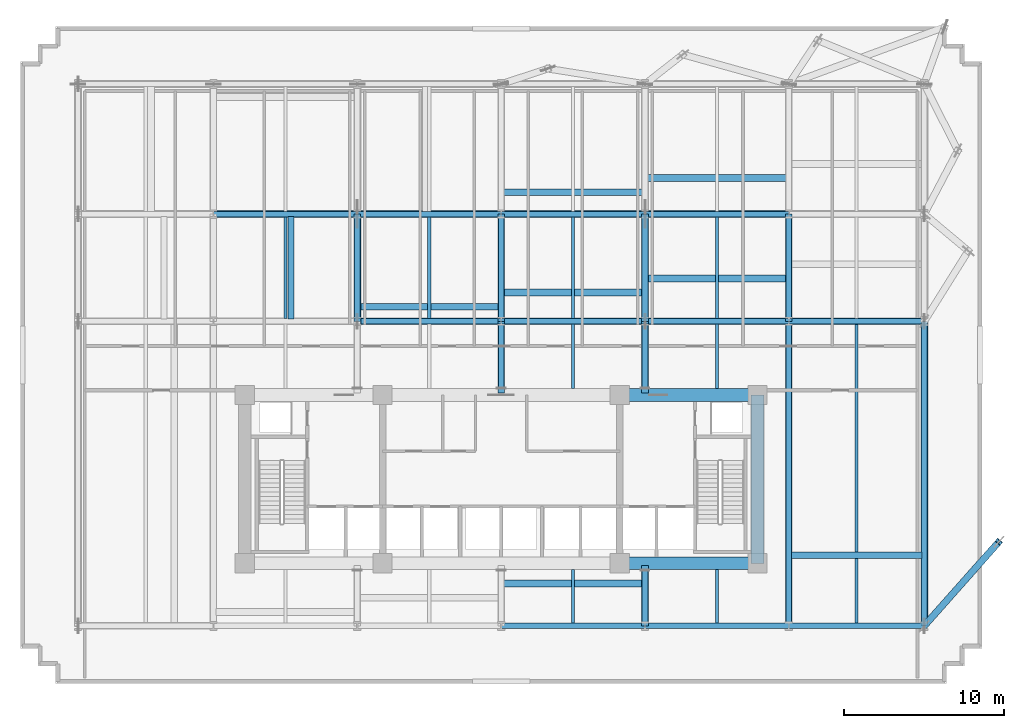
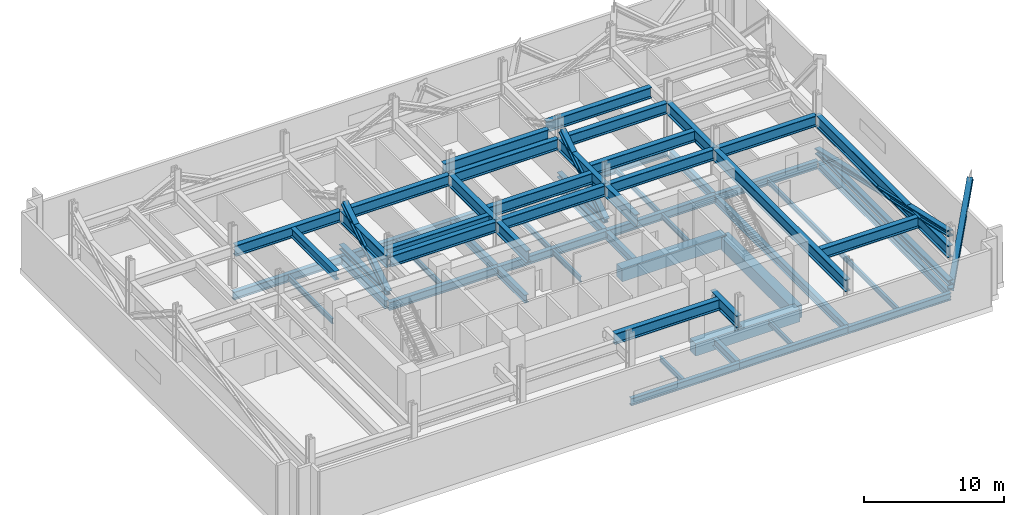
# One storey, part 2 of 9: 57 beams, 7 members.
"""IFC4 building model written with IfcOpenShell, lengths in metres."""

from ifc_helpers import new_model, si_unit, direction, frame, origin, origin_2d, place, context, subcontext, project, spatial, rectangle, i_section, extrude, material, material_profile, profile_set, type_object, element, save


model = new_model("IFC4")

# Units and contexts
model_context = context("Model", 3, precision=1e-05, world=origin(), true_north=direction((0.0, 1.0)))
body_context = subcontext(model_context, "Body", "Model", "MODEL_VIEW")
ifc_project = project(units=[si_unit("LENGTHUNIT", "METRE"), si_unit("AREAUNIT", "SQUARE_METRE"), si_unit("VOLUMEUNIT", "CUBIC_METRE"), si_unit("PLANEANGLEUNIT", "RADIAN"), si_unit("MASSUNIT", "GRAM", prefix="KILO")], contexts=[model_context])

# Site, building, storey
site_placement = place(None, origin())
site = spatial("IfcSite", under=ifc_project, at=site_placement, CompositionType="ELEMENT")
building_placement = place(site_placement, origin())
building = spatial("IfcBuilding", under=site, at=building_placement, Name="Solmavex Isthmus Hotel", CompositionType="ELEMENT")
storey_placement = place(building_placement, frame((0.0, 0.0, 74.699951171875)))
storey = spatial("IfcBuildingStorey", under=building, at=storey_placement, Name="L20", CompositionType="ELEMENT", Elevation=74.699951171875)

# Beams
ifc_material_1 = material(Name="Steel ASTM A992 Grade 50", Category="steel")
ifc_material_profile_1 = material_profile(ifc_material_1, i_section(OverallWidth=0.354736328125, OverallDepth=0.695556640625, WebThickness=0.015380859375, FlangeThickness=0.02490234375, FilletRadius=0.017822265625, at=origin_2d()), Name="W27X146")
ifc_profile_set_1 = profile_set([ifc_material_profile_1], Name="Steel ASTM A992 Grade 50")
beam_type_1 = type_object("IfcBeamType", Name="BM-BG-W27X146", PredefinedType="BEAM", material=ifc_profile_set_1)
for number, where, z_axis, x_axis, name in (
    (1, (-8.97607421875, 2.10009765625, -0.797607421875), (1.0, 0.0, 0.0), (0.0, 1.0, 0.0), "Floor Girder L20-UG09"),
    (2, (0.0, 2.10009765625, -0.797607421875), (1.0, 0.0, 0.0), (0.0, 1.0, 0.0), "Floor Girder L20-UG10"),
):
    element("IfcBeam", number, at=place(storey_placement, frame(where, z_axis=z_axis, x_axis=x_axis)), inside=storey, type_object=beam_type_1, Name=name, PredefinedType="BEAM", context=body_context, shape_type="SweptSolid", body=[
        extrude(i_section(OverallWidth=0.354736328125, OverallDepth=0.695556640625, WebThickness=0.015380859375, FlangeThickness=0.02490234375, FilletRadius=0.017822265625, at=origin_2d()), origin(), (0.0, 0.0, 1.0), 8.97607421875),
    ])
beam_1_placement = place(storey_placement, frame((8.97607421875, 2.10009765625, -0.797607421875), z_axis=(1.0, 0.0, 0.0), x_axis=(0.0, 1.0, 0.0)))
element("IfcBeam", 3, at=beam_1_placement, inside=storey, type_object=beam_type_1, Name="Floor Girder L20-UG11", PredefinedType="BEAM", context=body_context, shape_type="SweptSolid", body=[
    extrude(i_section(OverallWidth=0.354736328125, OverallDepth=0.695556640625, WebThickness=0.015380859375, FlangeThickness=0.02490234375, FilletRadius=0.017822265625, at=origin_2d()), origin(), (0.0, 0.0, 1.0), 8.975830078125),
])
beam_2_placement = place(storey_placement, frame((17.951904296875, 2.10009765625, -0.797607421875), z_axis=(1.0, 0.0, 0.0), x_axis=(0.0, 1.0, 0.0)))
element("IfcBeam", 4, at=beam_2_placement, inside=storey, type_object=beam_type_1, Name="Floor Girder L20-UG12", PredefinedType="BEAM", context=body_context, shape_type="SweptSolid", body=[
    extrude(i_section(OverallWidth=0.354736328125, OverallDepth=0.695556640625, WebThickness=0.015380859375, FlangeThickness=0.02490234375, FilletRadius=0.017822265625, at=origin_2d()), origin(), (0.0, 0.0, 1.0), 8.447998046875),
])
beam_3_placement = place(storey_placement, frame((-17.951904296875, 8.7880859375, -0.797607421875), z_axis=(1.0, 0.0, 0.0), x_axis=(0.0, 1.0, 0.0)))
element("IfcBeam", 5, at=beam_3_placement, inside=storey, type_object=beam_type_1, Name="Floor Girder L20-UG14", PredefinedType="BEAM", context=body_context, shape_type="SweptSolid", body=[
    extrude(i_section(OverallWidth=0.354736328125, OverallDepth=0.695556640625, WebThickness=0.015380859375, FlangeThickness=0.02490234375, FilletRadius=0.017822265625, at=origin_2d()), origin(), (0.0, 0.0, 1.0), 8.975830078125),
])
for number, where, z_axis, x_axis, name in (
    (6, (-8.97607421875, 8.7880859375, -0.797607421875), (1.0, 0.0, 0.0), (0.0, 1.0, 0.0), "Floor Girder L20-UG15"),
    (7, (0.0, 8.7880859375, -0.797607421875), (1.0, 0.0, 0.0), (0.0, 1.0, 0.0), "Floor Girder L20-UG16"),
):
    element("IfcBeam", number, at=place(storey_placement, frame(where, z_axis=z_axis, x_axis=x_axis)), inside=storey, type_object=beam_type_1, Name=name, PredefinedType="BEAM", context=body_context, shape_type="SweptSolid", body=[
        extrude(i_section(OverallWidth=0.354736328125, OverallDepth=0.695556640625, WebThickness=0.015380859375, FlangeThickness=0.02490234375, FilletRadius=0.017822265625, at=origin_2d()), origin(), (0.0, 0.0, 1.0), 8.97607421875),
    ])
beam_4_placement = place(storey_placement, frame((8.97607421875, 8.7880859375, -0.797607421875), z_axis=(1.0, 0.0, 0.0), x_axis=(0.0, 1.0, 0.0)))
element("IfcBeam", 8, at=beam_4_placement, inside=storey, type_object=beam_type_1, Name="Floor Girder L20-UG17", PredefinedType="BEAM", context=body_context, shape_type="SweptSolid", body=[
    extrude(i_section(OverallWidth=0.354736328125, OverallDepth=0.695556640625, WebThickness=0.015380859375, FlangeThickness=0.02490234375, FilletRadius=0.017822265625, at=origin_2d()), origin(), (0.0, 0.0, 1.0), 8.975830078125),
])
beam_5_placement = place(storey_placement, frame((-8.97607421875, 2.27734375, -0.797607421875), z_axis=(0.0, 1.0, 0.0), x_axis=(-1.0, 0.0, 0.0)))
element("IfcBeam", 9, at=beam_5_placement, inside=storey, type_object=beam_type_1, Name="Floor Beam L20-VG33", PredefinedType="BEAM", context=body_context, shape_type="SweptSolid", body=[
    extrude(i_section(OverallWidth=0.354736328125, OverallDepth=0.695556640625, WebThickness=0.015380859375, FlangeThickness=0.02490234375, FilletRadius=0.017822265625, at=origin_2d()), origin(), (0.0, 0.0, 1.0), 6.333251953125),
])
beam_6_placement = place(storey_placement, frame((0.0, -2.10009765625, -0.797607421875), z_axis=(0.0, 1.0, 0.0), x_axis=(-1.0, 0.0, 0.0)))
element("IfcBeam", 10, at=beam_6_placement, inside=storey, type_object=beam_type_1, Name="Floor Beam L20-VG36", PredefinedType="BEAM", context=body_context, shape_type="SweptSolid", body=[
    extrude(i_section(OverallWidth=0.354736328125, OverallDepth=0.695556640625, WebThickness=0.015380859375, FlangeThickness=0.02490234375, FilletRadius=0.017822265625, at=origin_2d()), origin(), (0.0, 0.0, 1.0), 4.022705078125),
])
beam_7_placement = place(storey_placement, frame((0.0, 2.27734375, -0.797607421875), z_axis=(0.0, 1.0, 0.0), x_axis=(-1.0, 0.0, 0.0)))
element("IfcBeam", 11, at=beam_7_placement, inside=storey, type_object=beam_type_1, Name="Floor Beam L20-VG37", PredefinedType="BEAM", context=body_context, shape_type="SweptSolid", body=[
    extrude(i_section(OverallWidth=0.354736328125, OverallDepth=0.695556640625, WebThickness=0.015380859375, FlangeThickness=0.02490234375, FilletRadius=0.017822265625, at=origin_2d()), origin(), (0.0, 0.0, 1.0), 6.333251953125),
])
beam_8_placement = place(storey_placement, frame((8.97607421875, -16.73681640625, -0.797607421875), z_axis=(0.0, 1.0, 0.0), x_axis=(-1.0, 0.0, 0.0)))
element("IfcBeam", 12, at=beam_8_placement, inside=storey, type_object=beam_type_1, Name="Floor Beam L20-VG39", PredefinedType="BEAM", context=body_context, shape_type="SweptSolid", body=[
    extrude(i_section(OverallWidth=0.354736328125, OverallDepth=0.695556640625, WebThickness=0.015380859375, FlangeThickness=0.02490234375, FilletRadius=0.017822265625, at=origin_2d()), origin(), (0.0, 0.0, 1.0), 3.3369140625),
])
beam_9_placement = place(storey_placement, frame((8.97607421875, -2.10009765625, -0.797607421875), z_axis=(0.0, 1.0, 0.0), x_axis=(-1.0, 0.0, 0.0)))
element("IfcBeam", 13, at=beam_9_placement, inside=storey, type_object=beam_type_1, Name="Floor Beam L20-VG40", PredefinedType="BEAM", context=body_context, shape_type="SweptSolid", body=[
    extrude(i_section(OverallWidth=0.354736328125, OverallDepth=0.695556640625, WebThickness=0.015380859375, FlangeThickness=0.02490234375, FilletRadius=0.017822265625, at=origin_2d()), origin(), (0.0, 0.0, 1.0), 4.022705078125),
])
beam_10_placement = place(storey_placement, frame((8.97607421875, 2.27734375, -0.797607421875), z_axis=(0.0, 1.0, 0.0), x_axis=(-1.0, 0.0, 0.0)))
element("IfcBeam", 14, at=beam_10_placement, inside=storey, type_object=beam_type_1, Name="Floor Beam L20-VG41", PredefinedType="BEAM", context=body_context, shape_type="SweptSolid", body=[
    extrude(i_section(OverallWidth=0.354736328125, OverallDepth=0.695556640625, WebThickness=0.015380859375, FlangeThickness=0.02490234375, FilletRadius=0.017822265625, at=origin_2d()), origin(), (0.0, 0.0, 1.0), 6.333251953125),
])
beam_11_placement = place(storey_placement, frame((17.951904296875, -16.73681640625, -0.797607421875), z_axis=(0.0, 1.0, 0.0), x_axis=(-1.0, 0.0, 0.0)))
element("IfcBeam", 15, at=beam_11_placement, inside=storey, type_object=beam_type_1, Name="Floor Beam L20-VG43", PredefinedType="BEAM", context=body_context, shape_type="SweptSolid", body=[
    extrude(i_section(OverallWidth=0.354736328125, OverallDepth=0.695556640625, WebThickness=0.015380859375, FlangeThickness=0.02490234375, FilletRadius=0.017822265625, at=origin_2d()), origin(), (0.0, 0.0, 1.0), 18.659423828125),
])
beam_12_placement = place(storey_placement, frame((17.951904296875, 2.27734375, -0.797607421875), z_axis=(0.0, 1.0, 0.0), x_axis=(-1.0, 0.0, 0.0)))
element("IfcBeam", 16, at=beam_12_placement, inside=storey, type_object=beam_type_1, Name="Floor Beam L20-VG44", PredefinedType="BEAM", context=body_context, shape_type="SweptSolid", body=[
    extrude(i_section(OverallWidth=0.354736328125, OverallDepth=0.695556640625, WebThickness=0.015380859375, FlangeThickness=0.02490234375, FilletRadius=0.017822265625, at=origin_2d()), origin(), (0.0, 0.0, 1.0), 6.333251953125),
])
ifc_material_profile_2 = material_profile(ifc_material_1, i_section(OverallWidth=0.380615234375, OverallDepth=0.773193359375, WebThickness=0.0166015625, FlangeThickness=0.027099609375, FilletRadius=0.01904296875, at=origin_2d()), Name="W30X173")
ifc_profile_set_2 = profile_set([ifc_material_profile_2], Name="Steel ASTM A992 Grade 50")
beam_type_2 = type_object("IfcBeamType", Name="BM-BG-W30X173", PredefinedType="BEAM", material=ifc_profile_set_2)
beam_13_placement = place(storey_placement, frame((-13.1171875, 2.2548828125, 3.183349609375), z_axis=(0.0, 1.0, 0.0), x_axis=(-1.0, 0.0, 0.0)))
element("IfcBeam", 17, at=beam_13_placement, inside=storey, type_object=beam_type_2, Name="Floor Framing Cross Girder L20-XLC48", PredefinedType="BEAM", context=body_context, shape_type="SweptSolid", body=[
    extrude(i_section(OverallWidth=0.380615234375, OverallDepth=0.773193359375, WebThickness=0.0166015625, FlangeThickness=0.027099609375, FilletRadius=0.01904296875, at=origin_2d()), origin(), (0.0, 0.0, 1.0), 6.378173828125),
])
ifc_material_profile_3 = material_profile(ifc_material_1, i_section(OverallWidth=0.1904296875, OverallDepth=0.456787109375, WebThickness=0.009033203125, FlangeThickness=0.014404296875, FilletRadius=0.0126953125, at=origin_2d()), Name="W18X50")
ifc_profile_set_3 = profile_set([ifc_material_profile_3], Name="Steel ASTM A992 Grade 50")
beam_type_3 = type_object("IfcBeamType", Name="BM-BJ-W18X50", PredefinedType="JOIST", material=ifc_profile_set_3)
for number, where, z_axis, x_axis, name in (
    (18, (-13.464111328125, 2.27734375, -0.678466796875), (0.0, 1.0, 0.0), (-1.0, 0.0, 0.0), "Secondary Floor Joist L20-J06"),
    (19, (-4.488037109375, 2.27734375, -0.678466796875), (0.0, 1.0, 0.0), (-1.0, 0.0, 0.0), "Secondary Floor Joist L20-J10"),
):
    element("IfcBeam", number, at=place(storey_placement, frame(where, z_axis=z_axis, x_axis=x_axis)), inside=storey, type_object=beam_type_3, Name=name, PredefinedType="JOIST", context=body_context, shape_type="SweptSolid", body=[
        extrude(i_section(OverallWidth=0.1904296875, OverallDepth=0.456787109375, WebThickness=0.009033203125, FlangeThickness=0.014404296875, FilletRadius=0.0126953125, at=origin_2d()), origin(), (0.0, 0.0, 1.0), 6.333251953125),
    ])
beam_14_placement = place(storey_placement, frame((4.488037109375, -16.73681640625, -0.678466796875), z_axis=(0.0, 1.0, 0.0), x_axis=(-1.0, 0.0, 0.0)))
element("IfcBeam", 20, at=beam_14_placement, inside=storey, type_object=beam_type_3, Name="Secondary Floor Joist L20-J12", PredefinedType="JOIST", context=body_context, shape_type="SweptSolid", body=[
    extrude(i_section(OverallWidth=0.1904296875, OverallDepth=0.456787109375, WebThickness=0.009033203125, FlangeThickness=0.014404296875, FilletRadius=0.0126953125, at=origin_2d()), origin(), (0.0, 0.0, 1.0), 3.3369140625),
])
beam_15_placement = place(storey_placement, frame((4.488037109375, -2.10009765625, -0.678466796875), z_axis=(0.0, 1.0, 0.0), x_axis=(-1.0, 0.0, 0.0)))
element("IfcBeam", 21, at=beam_15_placement, inside=storey, type_object=beam_type_3, Name="Secondary Floor Joist L20-J13", PredefinedType="JOIST", context=body_context, shape_type="SweptSolid", body=[
    extrude(i_section(OverallWidth=0.1904296875, OverallDepth=0.456787109375, WebThickness=0.009033203125, FlangeThickness=0.014404296875, FilletRadius=0.0126953125, at=origin_2d()), origin(), (0.0, 0.0, 1.0), 4.022705078125),
])
beam_16_placement = place(storey_placement, frame((4.488037109375, 2.27734375, -0.678466796875), z_axis=(0.0, 1.0, 0.0), x_axis=(-1.0, 0.0, 0.0)))
element("IfcBeam", 22, at=beam_16_placement, inside=storey, type_object=beam_type_3, Name="Secondary Floor Joist L20-J14", PredefinedType="JOIST", context=body_context, shape_type="SweptSolid", body=[
    extrude(i_section(OverallWidth=0.1904296875, OverallDepth=0.456787109375, WebThickness=0.009033203125, FlangeThickness=0.014404296875, FilletRadius=0.0126953125, at=origin_2d()), origin(), (0.0, 0.0, 1.0), 6.333251953125),
])
beam_17_placement = place(storey_placement, frame((13.464111328125, -16.73681640625, -0.678466796875), z_axis=(0.0, 1.0, 0.0), x_axis=(-1.0, 0.0, 0.0)))
element("IfcBeam", 23, at=beam_17_placement, inside=storey, type_object=beam_type_3, Name="Secondary Floor Joist L20-J16", PredefinedType="JOIST", context=body_context, shape_type="SweptSolid", body=[
    extrude(i_section(OverallWidth=0.1904296875, OverallDepth=0.456787109375, WebThickness=0.009033203125, FlangeThickness=0.014404296875, FilletRadius=0.0126953125, at=origin_2d()), origin(), (0.0, 0.0, 1.0), 3.3369140625),
])
beam_18_placement = place(storey_placement, frame((13.464111328125, -2.10009765625, -0.678466796875), z_axis=(0.0, 1.0, 0.0), x_axis=(-1.0, 0.0, 0.0)))
element("IfcBeam", 24, at=beam_18_placement, inside=storey, type_object=beam_type_3, Name="Secondary Floor Joist L20-J17", PredefinedType="JOIST", context=body_context, shape_type="SweptSolid", body=[
    extrude(i_section(OverallWidth=0.1904296875, OverallDepth=0.456787109375, WebThickness=0.009033203125, FlangeThickness=0.014404296875, FilletRadius=0.0126953125, at=origin_2d()), origin(), (0.0, 0.0, 1.0), 4.022705078125),
])
beam_19_placement = place(storey_placement, frame((13.464111328125, 2.27734375, -0.678466796875), z_axis=(0.0, 1.0, 0.0), x_axis=(-1.0, 0.0, 0.0)))
element("IfcBeam", 25, at=beam_19_placement, inside=storey, type_object=beam_type_3, Name="Secondary Floor Joist L20-J18", PredefinedType="JOIST", context=body_context, shape_type="SweptSolid", body=[
    extrude(i_section(OverallWidth=0.1904296875, OverallDepth=0.456787109375, WebThickness=0.009033203125, FlangeThickness=0.014404296875, FilletRadius=0.0126953125, at=origin_2d()), origin(), (0.0, 0.0, 1.0), 6.333251953125),
])
beam_20_placement = place(storey_placement, frame((22.176025390625, -16.73681640625, -0.678466796875), z_axis=(0.0, 1.0, 0.0), x_axis=(-1.0, 0.0, 0.0)))
element("IfcBeam", 26, at=beam_20_placement, inside=storey, type_object=beam_type_3, Name="Secondary Floor Joist L20-J20", PredefinedType="JOIST", context=body_context, shape_type="SweptSolid", body=[
    extrude(i_section(OverallWidth=0.1904296875, OverallDepth=0.456787109375, WebThickness=0.009033203125, FlangeThickness=0.014404296875, FilletRadius=0.0126953125, at=origin_2d()), origin(), (0.0, 0.0, 1.0), 18.659423828125),
])
ifc_material_2 = material(Name="Concrete C70/85", Category="concrete")
ifc_material_profile_4 = material_profile(ifc_material_2, rectangle(XDim=0.800048828125, YDim=1.10009765625, at=origin_2d()), Name="RC800X1100")
ifc_profile_set_4 = profile_set([ifc_material_profile_4], Name="Concrete C70/85")
beam_type_4 = type_object("IfcBeamType", Name="BM-CB-800X1100", PredefinedType="BEAM", material=ifc_profile_set_4)
for number, where, z_axis, x_axis, name in (
    (27, (7.39990234375, -13.0, -1.0), (1.0, 0.0, 0.0), (0.0, 1.0, 0.0), "Core Coupling Beam L20-CB3"),
    (28, (7.39990234375, -2.5, -0.889892578125), (1.0, 0.0, 0.0), (0.0, 1.0, 0.0), "Core Coupling Beam L20-CB6"),
):
    element("IfcBeam", number, at=place(storey_placement, frame(where, z_axis=z_axis, x_axis=x_axis)), inside=storey, type_object=beam_type_4, Name=name, PredefinedType="BEAM", context=body_context, shape_type="SweptSolid", body=[
        extrude(rectangle(XDim=0.800048828125, YDim=1.10009765625, at=origin_2d()), origin(), (0.0, 0.0, 1.0), 8.60009765625),
    ])
beam_21_placement = place(storey_placement, frame((16.0, -13.0, -1.0), z_axis=(0.0, 1.0, 0.0), x_axis=(-1.0, 0.0, 0.0)))
element("IfcBeam", 29, at=beam_21_placement, inside=storey, type_object=beam_type_4, Name="Core Coupling Beam L20-CB8", PredefinedType="BEAM", context=body_context, shape_type="SweptSolid", body=[
    extrude(rectangle(XDim=0.800048828125, YDim=1.10009765625, at=origin_2d()), origin(), (0.0, 0.0, 1.0), 10.5),
])
ifc_material_profile_5 = material_profile(ifc_material_1, i_section(OverallWidth=0.326416015625, OverallDepth=0.621826171875, WebThickness=0.015380859375, FlangeThickness=0.0244140625, FilletRadius=0.01513671875, at=origin_2d()), Name="W24X131")
ifc_profile_set_5 = profile_set([ifc_material_profile_5], Name="Steel ASTM A992 Grade 50")
beam_type_5 = type_object("IfcBeamType", Name="BM-SP-W24X131", PredefinedType="SPANDREL", material=ifc_profile_set_5)
beam_22_placement = place(storey_placement, frame((0.0, -16.89990234375, -0.7607421875), z_axis=(1.0, 0.0, 0.0), x_axis=(0.0, 1.0, 0.0)))
element("IfcBeam", 30, at=beam_22_placement, inside=storey, type_object=beam_type_5, Name="Floor Girder L20-UG04", PredefinedType="SPANDREL", context=body_context, shape_type="SweptSolid", body=[
    extrude(i_section(OverallWidth=0.326416015625, OverallDepth=0.621826171875, WebThickness=0.015380859375, FlangeThickness=0.0244140625, FilletRadius=0.01513671875, at=origin_2d()), origin(), (0.0, 0.0, 1.0), 8.97607421875),
])
beam_23_placement = place(storey_placement, frame((8.97607421875, -16.89990234375, -0.7607421875), z_axis=(1.0, 0.0, 0.0), x_axis=(0.0, 1.0, 0.0)))
element("IfcBeam", 31, at=beam_23_placement, inside=storey, type_object=beam_type_5, Name="Floor Girder L20-UG05", PredefinedType="SPANDREL", context=body_context, shape_type="SweptSolid", body=[
    extrude(i_section(OverallWidth=0.326416015625, OverallDepth=0.621826171875, WebThickness=0.015380859375, FlangeThickness=0.0244140625, FilletRadius=0.01513671875, at=origin_2d()), origin(), (0.0, 0.0, 1.0), 8.975830078125),
])
beam_24_placement = place(storey_placement, frame((17.951904296875, -16.89990234375, -0.7607421875), z_axis=(1.0, 0.0, 0.0), x_axis=(0.0, 1.0, 0.0)))
element("IfcBeam", 32, at=beam_24_placement, inside=storey, type_object=beam_type_5, Name="Floor Girder L20-UG06", PredefinedType="SPANDREL", context=body_context, shape_type="SweptSolid", body=[
    extrude(i_section(OverallWidth=0.326416015625, OverallDepth=0.621826171875, WebThickness=0.015380859375, FlangeThickness=0.0244140625, FilletRadius=0.01513671875, at=origin_2d()), origin(), (0.0, 0.0, 1.0), 8.447998046875),
])
beam_25_placement = place(storey_placement, frame((26.39990234375, -16.73681640625, -0.7607421875), z_axis=(0.0, 1.0, 0.0), x_axis=(-1.0, 0.0, 0.0)))
element("IfcBeam", 33, at=beam_25_placement, inside=storey, type_object=beam_type_5, Name="Floor Beam L20-VG46", PredefinedType="SPANDREL", context=body_context, shape_type="SweptSolid", body=[
    extrude(i_section(OverallWidth=0.326416015625, OverallDepth=0.621826171875, WebThickness=0.015380859375, FlangeThickness=0.0244140625, FilletRadius=0.01513671875, at=origin_2d()), origin(), (0.0, 0.0, 1.0), 18.659423828125),
])
ifc_material_3 = material(Name="Steel ASTM A913 Grade 65", Category="steel")
ifc_material_profile_6 = material_profile(ifc_material_3, i_section(OverallWidth=0.423095703125, OverallDepth=0.93896484375, WebThickness=0.02392578125, FlangeThickness=0.042724609375, FilletRadius=0.024169921875, at=origin_2d()), Name="W36X302")
ifc_profile_set_6 = profile_set([ifc_material_profile_6], Name="Steel ASTM A913 Grade 65")
beam_type_6 = type_object("IfcBeamType", Name="BM-TB-W36X302", PredefinedType="BEAM", material=ifc_profile_set_6)
for number, where, z_axis, x_axis, name in (
    (34, (-8.821044921875, 2.10009765625, 3.1005859375), (1.0, 0.0, 0.0), (0.0, 1.0, 0.0), "Horizontal Outrigger Collector Girder L20-XLC28"),
    (35, (0.155029296875, 2.10009765625, 3.1005859375), (1.0, 0.0, 0.0), (0.0, 1.0, 0.0), "Horizontal Outrigger Collector Girder L20-XLC29"),
    (36, (9.131103515625, 2.10009765625, 3.1005859375), (1.0, 0.0, 0.0), (0.0, 1.0, 0.0), "Horizontal Outrigger Collector Girder L20-XLC30"),
):
    element("IfcBeam", number, at=place(storey_placement, frame(where, z_axis=z_axis, x_axis=x_axis)), inside=storey, type_object=beam_type_6, Name=name, PredefinedType="BEAM", context=body_context, shape_type="SweptSolid", body=[
        extrude(i_section(OverallWidth=0.423095703125, OverallDepth=0.93896484375, WebThickness=0.02392578125, FlangeThickness=0.042724609375, FilletRadius=0.024169921875, at=origin_2d()), origin(), (0.0, 0.0, 1.0), 8.666015625),
    ])
beam_26_placement = place(storey_placement, frame((18.10693359375, 2.10009765625, 3.1005859375), z_axis=(1.0, 0.0, 0.0), x_axis=(0.0, 1.0, 0.0)))
element("IfcBeam", 37, at=beam_26_placement, inside=storey, type_object=beam_type_6, Name="Horizontal Outrigger Collector Girder L20-XLC31", PredefinedType="BEAM", context=body_context, shape_type="SweptSolid", body=[
    extrude(i_section(OverallWidth=0.423095703125, OverallDepth=0.93896484375, WebThickness=0.02392578125, FlangeThickness=0.042724609375, FilletRadius=0.024169921875, at=origin_2d()), origin(), (0.0, 0.0, 1.0), 8.13818359375),
])
for number, where, z_axis, x_axis, name in (
    (38, (-17.797119140625, 8.7880859375, 3.1005859375), (1.0, 0.0, 0.0), (0.0, 1.0, 0.0), "Horizontal Outrigger Collector Girder L20-XLC33"),
    (39, (-8.821044921875, 8.7880859375, 3.1005859375), (1.0, 0.0, 0.0), (0.0, 1.0, 0.0), "Horizontal Outrigger Collector Girder L20-XLC34"),
    (40, (0.155029296875, 8.7880859375, 3.1005859375), (1.0, 0.0, 0.0), (0.0, 1.0, 0.0), "Horizontal Outrigger Collector Girder L20-XLC35"),
    (41, (9.131103515625, 8.7880859375, 3.1005859375), (1.0, 0.0, 0.0), (0.0, 1.0, 0.0), "Horizontal Outrigger Collector Girder L20-XLC36"),
    (42, (-8.821044921875, 3.003662109375, 3.1005859375), (1.0, 0.0, 0.0), (0.0, 1.0, 0.0), "Horizontal Outrigger Collector Girder L20-XLC51"),
    (43, (0.155029296875, -14.261474609375, 3.1005859375), (1.0, 0.0, 0.0), (0.0, 1.0, 0.0), "Horizontal Outrigger Collector Girder L20-XLC53"),
    (44, (0.155029296875, 3.888427734375, 3.1005859375), (1.0, 0.0, 0.0), (0.0, 1.0, 0.0), "Horizontal Outrigger Collector Girder L20-XLC54"),
    (45, (0.155029296875, 10.152099609375, 3.1005859375), (1.0, 0.0, 0.0), (0.0, 1.0, 0.0), "Horizontal Outrigger Collector Girder L20-XLC55"),
    (46, (9.131103515625, 4.7734375, 3.1005859375), (1.0, 0.0, 0.0), (0.0, 1.0, 0.0), "Horizontal Outrigger Collector Girder L20-XLC56"),
    (47, (9.131103515625, 11.036865234375, 3.1005859375), (1.0, 0.0, 0.0), (0.0, 1.0, 0.0), "Horizontal Outrigger Collector Girder L20-XLC57"),
):
    element("IfcBeam", number, at=place(storey_placement, frame(where, z_axis=z_axis, x_axis=x_axis)), inside=storey, type_object=beam_type_6, Name=name, PredefinedType="BEAM", context=body_context, shape_type="SweptSolid", body=[
        extrude(i_section(OverallWidth=0.423095703125, OverallDepth=0.93896484375, WebThickness=0.02392578125, FlangeThickness=0.042724609375, FilletRadius=0.024169921875, at=origin_2d()), origin(), (0.0, 0.0, 1.0), 8.666015625),
    ])
beam_27_placement = place(storey_placement, frame((18.10693359375, -12.49169921875, 3.1005859375), z_axis=(1.0, 0.0, 0.0), x_axis=(0.0, 1.0, 0.0)))
element("IfcBeam", 48, at=beam_27_placement, inside=storey, type_object=beam_type_6, Name="Horizontal Outrigger Collector Girder L20-XLC58", PredefinedType="BEAM", context=body_context, shape_type="SweptSolid", body=[
    extrude(i_section(OverallWidth=0.423095703125, OverallDepth=0.93896484375, WebThickness=0.02392578125, FlangeThickness=0.042724609375, FilletRadius=0.024169921875, at=origin_2d()), origin(), (0.0, 0.0, 1.0), 8.13818359375),
])
ifc_material_profile_7 = material_profile(ifc_material_3, i_section(OverallWidth=0.409423828125, OverallDepth=1.036376953125, WebThickness=0.031005859375, FlangeThickness=0.055908203125, FilletRadius=0.030517578125, at=origin_2d()), Name="W40X397")
ifc_profile_set_7 = profile_set([ifc_material_profile_7], Name="Steel ASTM A913 Grade 65")
beam_type_7 = type_object("IfcBeamType", Name="BM-TB-W40X397B", PredefinedType="BEAM", material=ifc_profile_set_7)
beam_28_placement = place(storey_placement, frame((-8.97607421875, 2.10009765625, 3.052001953125), z_axis=(0.0, 1.0, 0.0), x_axis=(-1.0, 0.0, 0.0)))
element("IfcBeam", 49, at=beam_28_placement, inside=storey, type_object=beam_type_7, Name="Horizontal Transfer Carrier Girder L20-XLC09", PredefinedType="BEAM", context=body_context, shape_type="SweptSolid", body=[
    extrude(i_section(OverallWidth=0.409423828125, OverallDepth=1.036376953125, WebThickness=0.031005859375, FlangeThickness=0.055908203125, FilletRadius=0.030517578125, at=origin_2d()), origin(), (0.0, 0.0, 1.0), 6.68798828125),
])
beam_29_placement = place(storey_placement, frame((0.0, -2.3701171875, 3.052001953125), z_axis=(0.0, 1.0, 0.0), x_axis=(-1.0, 0.0, 0.0)))
element("IfcBeam", 50, at=beam_29_placement, inside=storey, type_object=beam_type_7, Name="Horizontal Transfer Carrier Girder L20-XLC12", PredefinedType="BEAM", context=body_context, shape_type="SweptSolid", body=[
    extrude(i_section(OverallWidth=0.409423828125, OverallDepth=1.036376953125, WebThickness=0.031005859375, FlangeThickness=0.055908203125, FilletRadius=0.030517578125, at=origin_2d()), origin(), (0.0, 0.0, 1.0), 4.47021484375),
])
beam_30_placement = place(storey_placement, frame((0.0, 2.10009765625, 3.052001953125), z_axis=(0.0, 1.0, 0.0), x_axis=(-1.0, 0.0, 0.0)))
element("IfcBeam", 51, at=beam_30_placement, inside=storey, type_object=beam_type_7, Name="Horizontal Transfer Carrier Girder L20-XLC13", PredefinedType="BEAM", context=body_context, shape_type="SweptSolid", body=[
    extrude(i_section(OverallWidth=0.409423828125, OverallDepth=1.036376953125, WebThickness=0.031005859375, FlangeThickness=0.055908203125, FilletRadius=0.030517578125, at=origin_2d()), origin(), (0.0, 0.0, 1.0), 6.68798828125),
])
beam_31_placement = place(storey_placement, frame((8.97607421875, -16.89990234375, 3.052001953125), z_axis=(0.0, 1.0, 0.0), x_axis=(-1.0, 0.0, 0.0)))
element("IfcBeam", 52, at=beam_31_placement, inside=storey, type_object=beam_type_7, Name="Horizontal Transfer Carrier Girder L20-XLC15", PredefinedType="BEAM", context=body_context, shape_type="SweptSolid", body=[
    extrude(i_section(OverallWidth=0.409423828125, OverallDepth=1.036376953125, WebThickness=0.031005859375, FlangeThickness=0.055908203125, FilletRadius=0.030517578125, at=origin_2d()), origin(), (0.0, 0.0, 1.0), 3.77001953125),
])
beam_32_placement = place(storey_placement, frame((8.97607421875, -2.3701171875, 3.052001953125), z_axis=(0.0, 1.0, 0.0), x_axis=(-1.0, 0.0, 0.0)))
element("IfcBeam", 53, at=beam_32_placement, inside=storey, type_object=beam_type_7, Name="Horizontal Transfer Carrier Girder L20-XLC16", PredefinedType="BEAM", context=body_context, shape_type="SweptSolid", body=[
    extrude(i_section(OverallWidth=0.409423828125, OverallDepth=1.036376953125, WebThickness=0.031005859375, FlangeThickness=0.055908203125, FilletRadius=0.030517578125, at=origin_2d()), origin(), (0.0, 0.0, 1.0), 4.47021484375),
])
beam_33_placement = place(storey_placement, frame((8.97607421875, 2.10009765625, 3.052001953125), z_axis=(0.0, 1.0, 0.0), x_axis=(-1.0, 0.0, 0.0)))
element("IfcBeam", 54, at=beam_33_placement, inside=storey, type_object=beam_type_7, Name="Horizontal Transfer Carrier Girder L20-XLC17", PredefinedType="BEAM", context=body_context, shape_type="SweptSolid", body=[
    extrude(i_section(OverallWidth=0.409423828125, OverallDepth=1.036376953125, WebThickness=0.031005859375, FlangeThickness=0.055908203125, FilletRadius=0.030517578125, at=origin_2d()), origin(), (0.0, 0.0, 1.0), 6.68798828125),
])
beam_34_placement = place(storey_placement, frame((17.951904296875, -16.89990234375, 3.052001953125), z_axis=(0.0, 1.0, 0.0), x_axis=(-1.0, 0.0, 0.0)))
element("IfcBeam", 55, at=beam_34_placement, inside=storey, type_object=beam_type_7, Name="Horizontal Transfer Carrier Girder L20-XLC19", PredefinedType="BEAM", context=body_context, shape_type="SweptSolid", body=[
    extrude(i_section(OverallWidth=0.409423828125, OverallDepth=1.036376953125, WebThickness=0.031005859375, FlangeThickness=0.055908203125, FilletRadius=0.030517578125, at=origin_2d()), origin(), (0.0, 0.0, 1.0), 19.0),
])
beam_35_placement = place(storey_placement, frame((17.951904296875, 2.10009765625, 3.052001953125), z_axis=(0.0, 1.0, 0.0), x_axis=(-1.0, 0.0, 0.0)))
element("IfcBeam", 56, at=beam_35_placement, inside=storey, type_object=beam_type_7, Name="Horizontal Transfer Carrier Girder L20-XLC20", PredefinedType="BEAM", context=body_context, shape_type="SweptSolid", body=[
    extrude(i_section(OverallWidth=0.409423828125, OverallDepth=1.036376953125, WebThickness=0.031005859375, FlangeThickness=0.055908203125, FilletRadius=0.030517578125, at=origin_2d()), origin(), (0.0, 0.0, 1.0), 6.68798828125),
])
beam_36_placement = place(storey_placement, frame((26.39990234375, -16.89990234375, 3.052001953125), z_axis=(0.0, 1.0, 0.0), x_axis=(-1.0, 0.0, 0.0)))
element("IfcBeam", 57, at=beam_36_placement, inside=storey, type_object=beam_type_7, Name="Horizontal Transfer Carrier Girder L20-XLC22", PredefinedType="BEAM", context=body_context, shape_type="SweptSolid", body=[
    extrude(i_section(OverallWidth=0.409423828125, OverallDepth=1.036376953125, WebThickness=0.031005859375, FlangeThickness=0.055908203125, FilletRadius=0.030517578125, at=origin_2d()), origin(), (0.0, 0.0, 1.0), 19.0),
])

# Members
ifc_material_profile_8 = material_profile(ifc_material_3, i_section(OverallWidth=0.412109375, OverallDepth=0.434814453125, WebThickness=0.035888671875, FlangeThickness=0.057373046875, FilletRadius=0.030517578125, at=origin_2d()), Name="W14X311")
ifc_profile_set_8 = profile_set([ifc_material_profile_8], Name="Steel ASTM A913 Grade 65")
member_type_1 = type_object("IfcMemberType", Name="MEM-TC-W14X311", PredefinedType="CHORD", material=ifc_profile_set_8)
member_1_placement = place(storey_placement, frame((26.39990234375, -16.89990234375, 0.35009765625), z_axis=(0.0, 1.0, 0.0), x_axis=(-1.0, 0.0, 0.0)))
element("IfcMember", 58, at=member_1_placement, inside=storey, type_object=member_type_1, Name="Outrigger and Belt Transfer Truss Bottom Chord BT-L20-E-10", PredefinedType="CHORD", context=body_context, shape_type="SweptSolid", body=[
    extrude(i_section(OverallWidth=0.412109375, OverallDepth=0.434814453125, WebThickness=0.035888671875, FlangeThickness=0.057373046875, FilletRadius=0.030517578125, at=origin_2d()), origin(), (0.0, 0.0, 1.0), 19.0),
])
for number, where, z_axis, x_axis, name in (
    (59, (-8.97607421875, 2.10009765625, 0.35009765625), (0.0, 1.0, 0.0), (-1.0, 0.0, 0.0), "Outrigger and Belt Transfer Truss Bottom Chord OT-L20-W-13"),
    (60, (8.97607421875, 2.10009765625, 0.35009765625), (0.0, 1.0, 0.0), (-1.0, 0.0, 0.0), "Outrigger and Belt Transfer Truss Bottom Chord OT-L20-E-15"),
):
    element("IfcMember", number, at=place(storey_placement, frame(where, z_axis=z_axis, x_axis=x_axis)), inside=storey, type_object=member_type_1, Name=name, PredefinedType="CHORD", context=body_context, shape_type="SweptSolid", body=[
        extrude(i_section(OverallWidth=0.412109375, OverallDepth=0.434814453125, WebThickness=0.035888671875, FlangeThickness=0.057373046875, FilletRadius=0.030517578125, at=origin_2d()), origin(), (0.0, 0.0, 1.0), 6.68798828125),
    ])
ifc_material_profile_9 = material_profile(ifc_material_3, i_section(OverallWidth=0.41845703125, OverallDepth=0.455078125, WebThickness=0.0419921875, FlangeThickness=0.067626953125, FilletRadius=0.030517578125, at=origin_2d()), Name="W14X370")
ifc_profile_set_9 = profile_set([ifc_material_profile_9], Name="Steel ASTM A913 Grade 65")
member_type_2 = type_object("IfcMemberType", Name="MEM-TM-W14X370", PredefinedType="BRACE", material=ifc_profile_set_9)
member_2_placement = place(storey_placement, frame((26.39990234375, -16.89990234375, -0.25), z_axis=(0.544006020072, 0.612927534319, 0.573042134401), x_axis=(-0.747905013256, 0.663805763116, 0.0)))
element("IfcMember", 61, at=member_2_placement, inside=storey, type_object=member_type_2, Name="Perimeter Facade Transfer Bracket L20-FBR07", PredefinedType="BRACE", context=body_context, shape_type="SweptSolid", body=[
    extrude(i_section(OverallWidth=0.41845703125, OverallDepth=0.455078125, WebThickness=0.0419921875, FlangeThickness=0.067626953125, FilletRadius=0.030517578125, at=origin_2d()), origin(), (0.0, 0.0, 1.0), 8.551025390625),
])
ifc_material_profile_10 = material_profile(ifc_material_3, i_section(OverallWidth=0.43212890625, OverallDepth=0.497802734375, WebThickness=0.0556640625, FlangeThickness=0.0888671875, FilletRadius=0.030517578125, at=origin_2d()), Name="W14X500")
ifc_profile_set_10 = profile_set([ifc_material_profile_10], Name="Steel ASTM A913 Grade 65")
member_type_3 = type_object("IfcMemberType", Name="MEM-TM-W14X500", PredefinedType="BRACE", material=ifc_profile_set_10)
member_3_placement = place(storey_placement, frame((26.39990234375, -16.89990234375, 4.650146484375), z_axis=(0.0, 0.975333615155, -0.220735903625), x_axis=(-1.0, 0.0, 0.0)))
element("IfcMember", 62, at=member_3_placement, inside=storey, type_object=member_type_3, Name="Outrigger and Belt Transfer Truss Diagonal Brace BT-L20-E-10", PredefinedType="BRACE", context=body_context, shape_type="SweptSolid", body=[
    extrude(i_section(OverallWidth=0.43212890625, OverallDepth=0.497802734375, WebThickness=0.0556640625, FlangeThickness=0.0888671875, FilletRadius=0.030517578125, at=origin_2d()), origin(), (0.0, 0.0, 1.0), 19.48046875),
])
for number, where, z_axis, x_axis, name in (
    (63, (-8.97607421875, 2.10009765625, 0.35009765625), (0.0, 0.841141411421, 0.540815242013), (-1.0, 0.0, 0.0), "Outrigger and Belt Transfer Truss Diagonal Brace OT-L20-W-13"),
    (64, (8.97607421875, 2.10009765625, 0.35009765625), (0.0, 0.841141411421, 0.540815242013), (-1.0, 0.0, 0.0), "Outrigger and Belt Transfer Truss Diagonal Brace OT-L20-E-15"),
):
    element("IfcMember", number, at=place(storey_placement, frame(where, z_axis=z_axis, x_axis=x_axis)), inside=storey, type_object=member_type_3, Name=name, PredefinedType="BRACE", context=body_context, shape_type="SweptSolid", body=[
        extrude(i_section(OverallWidth=0.43212890625, OverallDepth=0.497802734375, WebThickness=0.0556640625, FlangeThickness=0.0888671875, FilletRadius=0.030517578125, at=origin_2d()), origin(), (0.0, 0.0, 1.0), 7.490966796875),
    ])

save(model, "model.ifc")
